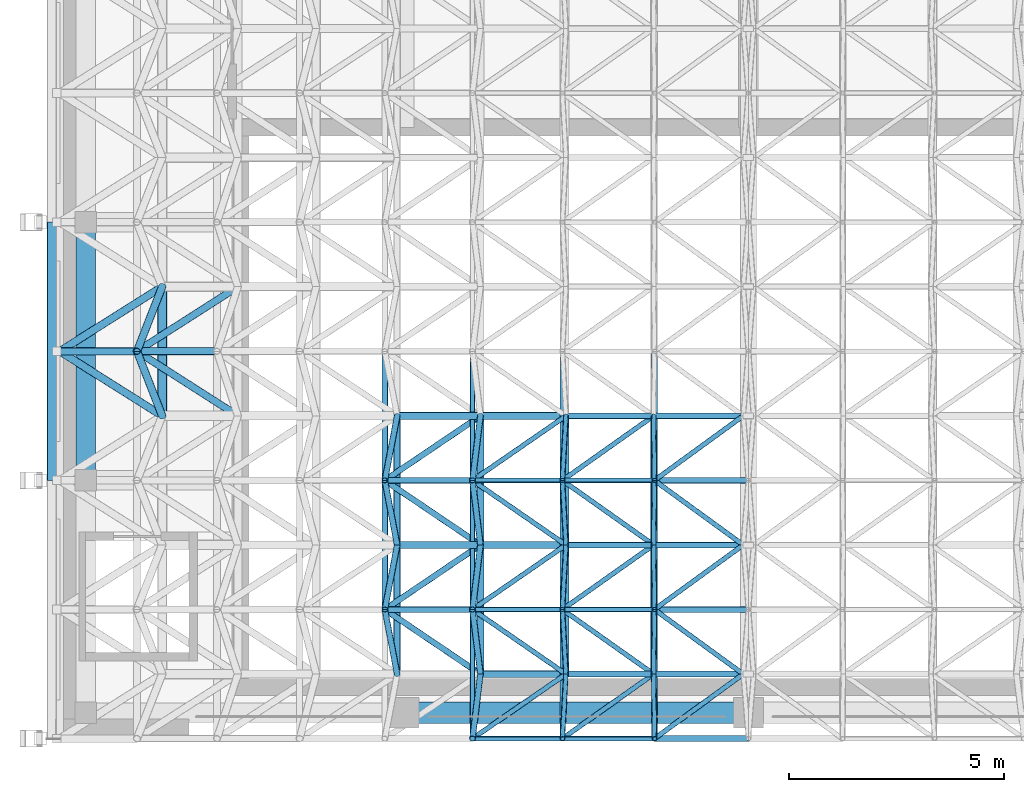
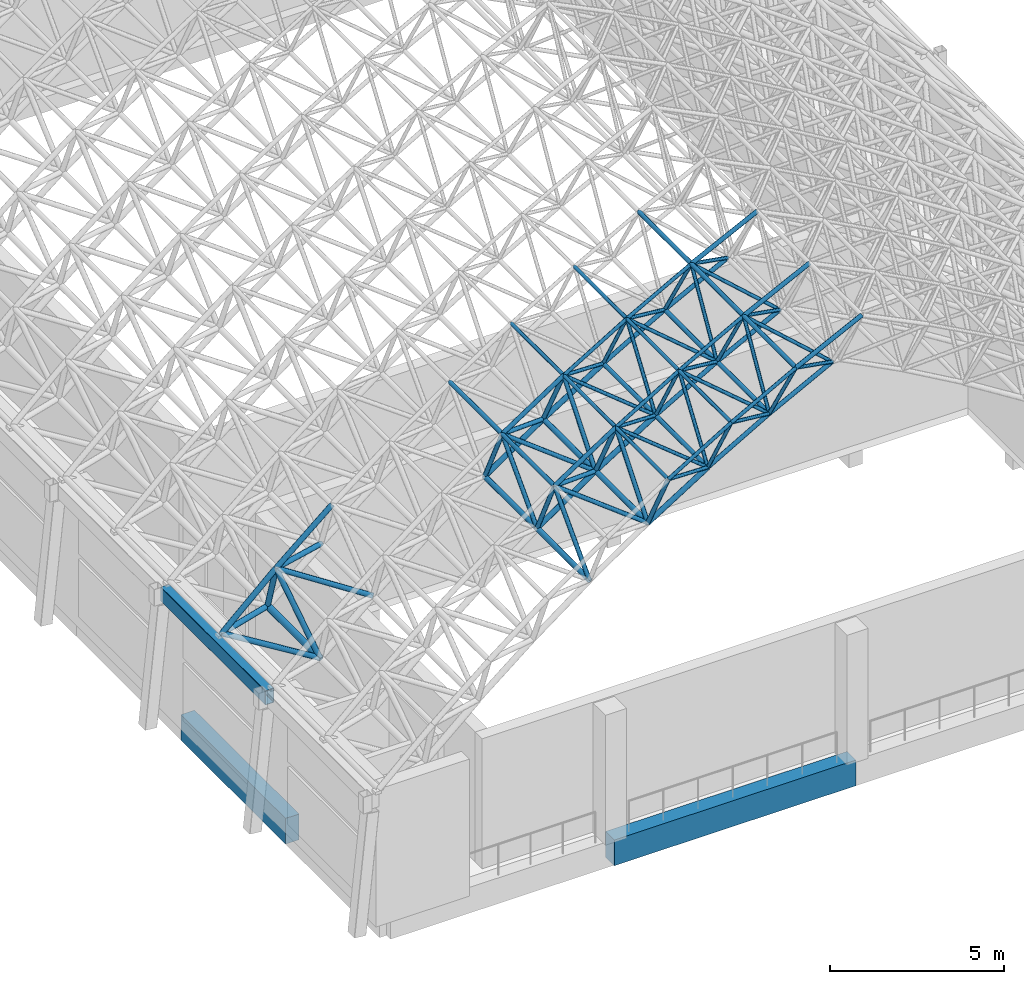
# One storey, part 9 of 141: 88 members, 3 beams.
"""IFC4 building model written with IfcOpenShell, lengths in metres."""

from ifc_helpers import new_model, si_unit, direction, frame, origin, origin_2d, place, context, subcontext, project, spatial, rectangle, hollow_rectangle, hollow_circle, extrude, material, material_profile, profile_set, type_object, element, save


model = new_model("IFC4")

# Units and contexts
model_context = context("Model", 3, precision=1e-05, world=origin(), true_north=direction((0.0, 1.0)))
body_context = subcontext(model_context, "Body", "Model", "MODEL_VIEW")
ifc_project = project(units=[si_unit("LENGTHUNIT", "METRE"), si_unit("AREAUNIT", "SQUARE_METRE"), si_unit("VOLUMEUNIT", "CUBIC_METRE"), si_unit("PLANEANGLEUNIT", "RADIAN"), si_unit("MASSUNIT", "GRAM", prefix="KILO")], contexts=[model_context])

# Site, building, storey
site_placement = place(None, origin())
site = spatial("IfcSite", under=ifc_project, at=site_placement, CompositionType="ELEMENT")
building_placement = place(site_placement, origin())
building = spatial("IfcBuilding", under=site, at=building_placement, Name="Lantern Court Media Centre", CompositionType="ELEMENT")
storey_placement = place(building_placement, frame((0.0, 0.0, 9.60009765625)))
storey = spatial("IfcBuildingStorey", under=building, at=storey_placement, Name="L02", CompositionType="ELEMENT", Elevation=9.60009765625)

# Members
ifc_material_1 = material(Name="Steel S355J2 (EN 10025-2)", Category="steel")
ifc_material_profile_1 = material_profile(ifc_material_1, hollow_circle(Radius=0.06982421875, WallThickness=0.00634765625, at=origin_2d()), Name="Cinema Hall bottom CHS 139.7x6.3")
ifc_profile_set_1 = profile_set([ifc_material_profile_1], Name="Steel S355J2 (EN 10025-2)")
member_type_1 = type_object("IfcMemberType", Name="Cinema Hall bottom CHS 139.7x6.3", PredefinedType="CHORD", material=ifc_profile_set_1)
for number, where, z_axis, x_axis, name in (
    (1, (11.76025390625, -0.5, 11.04443359375), (0.0, 1.0, 0.0), (-1.0, 0.0, 0.0), "Cinema Hall bottom chord 06-01"),
    (2, (13.796875, -0.5, 12.21337890625), (0.0, 1.0, 0.0), (-1.0, 0.0, 0.0), "Cinema Hall bottom chord 07-01"),
    (3, (11.76025390625, 2.5, 11.04443359375), (0.0, 1.0, 0.0), (-1.0, 0.0, 0.0), "Cinema Hall bottom chord 06-02"),
    (4, (13.796875, 2.5, 12.21337890625), (0.0, 1.0, 0.0), (-1.0, 0.0, 0.0), "Cinema Hall bottom chord 07-02"),
):
    element("IfcMember", number, at=place(storey_placement, frame(where, z_axis=z_axis, x_axis=x_axis)), inside=storey, type_object=member_type_1, Name=name, PredefinedType="CHORD", context=body_context, shape_type="SweptSolid", body=[
        extrude(hollow_circle(Radius=0.06982421875, WallThickness=0.00634765625, at=origin_2d()), origin(), (0.0, 0.0, 1.0), 3.0),
    ])
member_1_placement = place(storey_placement, frame((11.76025390625, -0.5, 11.04443359375), z_axis=(0.867294659253, 0.0, 0.497795112503), x_axis=(0.0, 1.0, 0.0)))
element("IfcMember", 5, at=member_1_placement, inside=storey, type_object=member_type_1, Name="Cinema Hall bottom chord 06-01 across", PredefinedType="CHORD", context=body_context, shape_type="SweptSolid", body=[
    extrude(hollow_circle(Radius=0.06982421875, WallThickness=0.00634765625, at=origin_2d()), origin(), (0.0, 0.0, 1.0), 2.34814453125),
])
member_2_placement = place(storey_placement, frame((13.796875, -0.5, 12.21337890625), z_axis=(0.88681645353, 0.0, 0.462121821329), x_axis=(0.0, 1.0, 0.0)))
element("IfcMember", 6, at=member_2_placement, inside=storey, type_object=member_type_1, Name="Cinema Hall bottom chord 07-01 across", PredefinedType="CHORD", context=body_context, shape_type="SweptSolid", body=[
    extrude(hollow_circle(Radius=0.06982421875, WallThickness=0.00634765625, at=origin_2d()), origin(), (0.0, 0.0, 1.0), 2.348388671875),
])
member_3_placement = place(storey_placement, frame((11.76025390625, 2.5, 11.04443359375), z_axis=(0.867294659253, 0.0, 0.497795112503), x_axis=(0.0, 1.0, 0.0)))
element("IfcMember", 7, at=member_3_placement, inside=storey, type_object=member_type_1, Name="Cinema Hall bottom chord 06-02 across", PredefinedType="CHORD", context=body_context, shape_type="SweptSolid", body=[
    extrude(hollow_circle(Radius=0.06982421875, WallThickness=0.00634765625, at=origin_2d()), origin(), (0.0, 0.0, 1.0), 2.34814453125),
])
member_4_placement = place(storey_placement, frame((13.796875, 2.5, 12.21337890625), z_axis=(0.88681645353, 0.0, 0.462121821329), x_axis=(0.0, 1.0, 0.0)))
element("IfcMember", 8, at=member_4_placement, inside=storey, type_object=member_type_1, Name="Cinema Hall bottom chord 07-02 across", PredefinedType="CHORD", context=body_context, shape_type="SweptSolid", body=[
    extrude(hollow_circle(Radius=0.06982421875, WallThickness=0.00634765625, at=origin_2d()), origin(), (0.0, 0.0, 1.0), 2.348388671875),
])
member_5_placement = place(storey_placement, frame((11.76025390625, 5.5, 11.04443359375), z_axis=(0.867294659253, 0.0, 0.497795112503), x_axis=(0.0, 1.0, 0.0)))
element("IfcMember", 9, at=member_5_placement, inside=storey, type_object=member_type_1, Name="Cinema Hall bottom chord 06-03 across", PredefinedType="CHORD", context=body_context, shape_type="SweptSolid", body=[
    extrude(hollow_circle(Radius=0.06982421875, WallThickness=0.00634765625, at=origin_2d()), origin(), (0.0, 0.0, 1.0), 2.34814453125),
])
member_6_placement = place(storey_placement, frame((13.796875, 5.5, 12.21337890625), z_axis=(0.88681645353, 0.0, 0.462121821329), x_axis=(0.0, 1.0, 0.0)))
element("IfcMember", 10, at=member_6_placement, inside=storey, type_object=member_type_1, Name="Cinema Hall bottom chord 07-03 across", PredefinedType="CHORD", context=body_context, shape_type="SweptSolid", body=[
    extrude(hollow_circle(Radius=0.06982421875, WallThickness=0.00634765625, at=origin_2d()), origin(), (0.0, 0.0, 1.0), 2.348388671875),
])
ifc_material_profile_2 = material_profile(ifc_material_1, hollow_circle(Radius=0.084228515625, WallThickness=0.00634765625, at=origin_2d()), Name="Cinema Hall bottom CHS 168.3x6.3")
ifc_profile_set_2 = profile_set([ifc_material_profile_2], Name="Steel S355J2 (EN 10025-2)")
member_type_2 = type_object("IfcMemberType", Name="Cinema Hall bottom CHS 168.3x6.3", PredefinedType="CHORD", material=ifc_profile_set_2)
for number, where, z_axis, x_axis, name in (
    (11, (9.772705078125, -0.5, 9.7939453125), (0.0, 1.0, 0.0), (-1.0, 0.0, 0.0), "Cinema Hall bottom chord 05-01"),
    (12, (9.772705078125, 2.5, 9.7939453125), (0.0, 1.0, 0.0), (-1.0, 0.0, 0.0), "Cinema Hall bottom chord 05-02"),
):
    element("IfcMember", number, at=place(storey_placement, frame(where, z_axis=z_axis, x_axis=x_axis)), inside=storey, type_object=member_type_2, Name=name, PredefinedType="CHORD", context=body_context, shape_type="SweptSolid", body=[
        extrude(hollow_circle(Radius=0.084228515625, WallThickness=0.00634765625, at=origin_2d()), origin(), (0.0, 0.0, 1.0), 3.0),
    ])
for number, where, z_axis, x_axis, name in (
    (13, (9.772705078125, -0.5, 9.7939453125), (0.846411623189, 0.0, 0.532529214344), (0.0, 1.0, 0.0), "Cinema Hall bottom chord 05-01 across"),
    (14, (9.772705078125, 2.5, 9.7939453125), (0.846411623189, 0.0, 0.532529214344), (0.0, 1.0, 0.0), "Cinema Hall bottom chord 05-02 across"),
    (15, (9.772705078125, 5.5, 9.7939453125), (0.846411623189, 0.0, 0.532529214344), (0.0, 1.0, 0.0), "Cinema Hall bottom chord 05-03 across"),
):
    element("IfcMember", number, at=place(storey_placement, frame(where, z_axis=z_axis, x_axis=x_axis)), inside=storey, type_object=member_type_2, Name=name, PredefinedType="CHORD", context=body_context, shape_type="SweptSolid", body=[
        extrude(hollow_circle(Radius=0.084228515625, WallThickness=0.00634765625, at=origin_2d()), origin(), (0.0, 0.0, 1.0), 2.34814453125),
    ])
ifc_material_profile_3 = material_profile(ifc_material_1, hollow_circle(Radius=0.084228515625, WallThickness=0.008056640625, at=origin_2d()), Name="Cinema Hall bottom CHS 168.3x8")
ifc_profile_set_3 = profile_set([ifc_material_profile_3], Name="Steel S355J2 (EN 10025-2)")
member_type_3 = type_object("IfcMemberType", Name="Cinema Hall bottom CHS 168.3x8", PredefinedType="CHORD", material=ifc_profile_set_3)
for number, where, z_axis, x_axis, name in (
    (16, (7.837646484375, -0.5, 8.463623046875), (0.0, 1.0, 0.0), (-1.0, 0.0, 0.0), "Cinema Hall bottom chord 04-01"),
    (17, (7.837646484375, 2.5, 8.463623046875), (0.0, 1.0, 0.0), (-1.0, 0.0, 0.0), "Cinema Hall bottom chord 04-02"),
):
    element("IfcMember", number, at=place(storey_placement, frame(where, z_axis=z_axis, x_axis=x_axis)), inside=storey, type_object=member_type_3, Name=name, PredefinedType="CHORD", context=body_context, shape_type="SweptSolid", body=[
        extrude(hollow_circle(Radius=0.084228515625, WallThickness=0.008056640625, at=origin_2d()), origin(), (0.0, 0.0, 1.0), 3.0),
    ])
for number, where, z_axis, x_axis, name in (
    (18, (7.837646484375, 2.5, 8.463623046875), (0.824047991233, 0.0, 0.56651999801), (0.0, 1.0, 0.0), "Cinema Hall bottom chord 04-02 across"),
    (19, (7.837646484375, 5.5, 8.463623046875), (0.824047991233, 0.0, 0.56651999801), (0.0, 1.0, 0.0), "Cinema Hall bottom chord 04-03 across"),
):
    element("IfcMember", number, at=place(storey_placement, frame(where, z_axis=z_axis, x_axis=x_axis)), inside=storey, type_object=member_type_3, Name=name, PredefinedType="CHORD", context=body_context, shape_type="SweptSolid", body=[
        extrude(hollow_circle(Radius=0.084228515625, WallThickness=0.008056640625, at=origin_2d()), origin(), (0.0, 0.0, 1.0), 2.34814453125),
    ])
ifc_material_profile_4 = material_profile(ifc_material_1, hollow_circle(Radius=0.109619140625, WallThickness=0.010009765625, at=origin_2d()), Name="Cinema Hall bottom CHS 219.1x10")
ifc_profile_set_4 = profile_set([ifc_material_profile_4], Name="Steel S355J2 (EN 10025-2)")
member_type_4 = type_object("IfcMemberType", Name="Cinema Hall bottom CHS 219.1x10", PredefinedType="CHORD", material=ifc_profile_set_4)
member_7_placement = place(storey_placement, frame((2.378662109375, 5.5, 4.016845703125), z_axis=(0.0, 1.0, 0.0), x_axis=(-1.0, 0.0, 0.0)))
element("IfcMember", 20, at=member_7_placement, inside=storey, type_object=member_type_4, Name="Cinema Hall bottom chord 01-03", PredefinedType="CHORD", context=body_context, shape_type="SweptSolid", body=[
    extrude(hollow_circle(Radius=0.109619140625, WallThickness=0.010009765625, at=origin_2d()), origin(), (0.0, 0.0, 1.0), 3.0),
])
ifc_material_profile_5 = material_profile(ifc_material_1, hollow_circle(Radius=0.05712890625, WallThickness=0.0048828125, at=origin_2d()), Name="Cinema Hall diagonal CHS 114.3x5")
ifc_profile_set_5 = profile_set([ifc_material_profile_5], Name="Steel S355J2 (EN 10025-2)")
member_type_5 = type_object("IfcMemberType", Name="Cinema Hall diagonal CHS 114.3x5", PredefinedType="BRACE", material=ifc_profile_set_5)
for number, where, z_axis, x_axis, name in (
    (21, (15.87939453125, -0.5, 13.298583984375), (-0.706879781117, -0.513851085564, 0.486084392789), (0.587989591395, -0.808868493892, 0.0), "Cinema Hall diagonal 08-01-1"),
    (22, (15.87939453125, -0.5, 13.298583984375), (-0.706879781117, 0.513851085564, 0.486084392789), (-0.587989591395, -0.808868493892, 0.0), "Cinema Hall diagonal 08-01-4"),
    (23, (15.87939453125, 2.5, 13.298583984375), (-0.706879781117, -0.513851085564, 0.486084392789), (0.587989591395, -0.808868493892, 0.0), "Cinema Hall diagonal 08-02-1"),
    (24, (15.87939453125, 2.5, 13.298583984375), (-0.706879781117, 0.513851085564, 0.486084392789), (-0.587989591395, -0.808868493892, 0.0), "Cinema Hall diagonal 08-02-4"),
    (25, (15.87939453125, 5.5, 13.298583984375), (-0.706879781117, -0.513851085564, 0.486084392789), (0.587989591395, -0.808868493892, 0.0), "Cinema Hall diagonal 08-03-1"),
):
    element("IfcMember", number, at=place(storey_placement, frame(where, z_axis=z_axis, x_axis=x_axis)), inside=storey, type_object=member_type_5, Name=name, PredefinedType="BRACE", context=body_context, shape_type="SweptSolid", body=[
        extrude(hollow_circle(Radius=0.05712890625, WallThickness=0.0048828125, at=origin_2d()), origin(), (0.0, 0.0, 1.0), 2.919189453125),
    ])
ifc_material_profile_6 = material_profile(ifc_material_1, hollow_circle(Radius=0.05712890625, WallThickness=0.00634765625, at=origin_2d()), Name="Cinema Hall diagonal CHS 114.3x6.3")
ifc_profile_set_6 = profile_set([ifc_material_profile_6], Name="Steel S355J2 (EN 10025-2)")
member_type_6 = type_object("IfcMemberType", Name="Cinema Hall diagonal CHS 114.3x6.3", PredefinedType="BRACE", material=ifc_profile_set_6)
for number, where, z_axis, x_axis, name in (
    (26, (11.76025390625, -0.5, 11.04443359375), (-0.744001537395, -0.513842788417, 0.427115091218), (0.568286154794, -0.822830994962, 0.0), "Cinema Hall diagonal 06-01-1"),
    (27, (11.76025390625, -0.5, 11.04443359375), (-0.028351859734, -0.513846095007, 0.857413763999), (0.998481283351, -0.055091984872, 0.0), "Cinema Hall diagonal 06-01-2"),
    (28, (11.76025390625, -0.5, 11.04443359375), (-0.028351859734, 0.513846095007, 0.857413763999), (-0.998481283351, -0.055091984872, 0.0), "Cinema Hall diagonal 06-01-3"),
    (29, (11.76025390625, -0.5, 11.04443359375), (-0.744001537395, 0.513842788417, 0.427115091218), (-0.568286154794, -0.822830994962, 0.0), "Cinema Hall diagonal 06-01-4"),
    (30, (13.796875, -0.5, 12.21337890625), (-0.726033609038, -0.513852147671, 0.456980490702), (0.577701627838, -0.816248019411, 0.0), "Cinema Hall diagonal 07-01-1"),
    (31, (13.796875, -0.5, 12.21337890625), (0.006523580306, -0.513857402591, 0.857850810283), (0.99991942426, 0.012694289566, 0.0), "Cinema Hall diagonal 07-01-2"),
    (32, (13.796875, -0.5, 12.21337890625), (0.006523580306, 0.513857402591, 0.857850810283), (-0.99991942426, 0.012694289566, 0.0), "Cinema Hall diagonal 07-01-3"),
    (33, (13.796875, -0.5, 12.21337890625), (-0.726033609038, 0.513852147671, 0.456980490702), (-0.577701627838, -0.816248019411, 0.0), "Cinema Hall diagonal 07-01-4"),
    (34, (11.76025390625, 2.5, 11.04443359375), (-0.744001537395, -0.513842788417, 0.427115091218), (0.568286154794, -0.822830994962, 0.0), "Cinema Hall diagonal 06-02-1"),
    (35, (11.76025390625, 2.5, 11.04443359375), (-0.028351859734, -0.513846095007, 0.857413763999), (0.998481283351, -0.055091984872, 0.0), "Cinema Hall diagonal 06-02-2"),
    (36, (11.76025390625, 2.5, 11.04443359375), (-0.028351859734, 0.513846095007, 0.857413763999), (-0.998481283351, -0.055091984872, 0.0), "Cinema Hall diagonal 06-02-3"),
    (37, (11.76025390625, 2.5, 11.04443359375), (-0.744001537395, 0.513842788417, 0.427115091218), (-0.568286154794, -0.822830994962, 0.0), "Cinema Hall diagonal 06-02-4"),
    (38, (13.796875, 2.5, 12.21337890625), (-0.726033609038, -0.513852147671, 0.456980490702), (0.577701627838, -0.816248019411, 0.0), "Cinema Hall diagonal 07-02-1"),
    (39, (13.796875, 2.5, 12.21337890625), (0.006523580306, -0.513857402591, 0.857850810283), (0.99991942426, 0.012694289566, 0.0), "Cinema Hall diagonal 07-02-2"),
    (40, (13.796875, 2.5, 12.21337890625), (0.006523580306, 0.513857402591, 0.857850810283), (-0.99991942426, 0.012694289566, 0.0), "Cinema Hall diagonal 07-02-3"),
    (41, (13.796875, 2.5, 12.21337890625), (-0.726033609038, 0.513852147671, 0.456980490702), (-0.577701627838, -0.816248019411, 0.0), "Cinema Hall diagonal 07-02-4"),
    (42, (11.76025390625, 5.5, 11.04443359375), (-0.744001537395, -0.513842788417, 0.427115091218), (0.568286154794, -0.822830994962, 0.0), "Cinema Hall diagonal 06-03-1"),
    (43, (11.76025390625, 5.5, 11.04443359375), (-0.028351859734, -0.513846095007, 0.857413763999), (0.998481283351, -0.055091984872, 0.0), "Cinema Hall diagonal 06-03-2"),
    (44, (13.796875, 5.5, 12.21337890625), (-0.726033609038, -0.513852147671, 0.456980490702), (0.577701627838, -0.816248019411, 0.0), "Cinema Hall diagonal 07-03-1"),
    (45, (13.796875, 5.5, 12.21337890625), (0.006523580306, -0.513857402591, 0.857850810283), (0.99991942426, 0.012694289566, 0.0), "Cinema Hall diagonal 07-03-2"),
):
    element("IfcMember", number, at=place(storey_placement, frame(where, z_axis=z_axis, x_axis=x_axis)), inside=storey, type_object=member_type_6, Name=name, PredefinedType="BRACE", context=body_context, shape_type="SweptSolid", body=[
        extrude(hollow_circle(Radius=0.05712890625, WallThickness=0.00634765625, at=origin_2d()), origin(), (0.0, 0.0, 1.0), 2.919189453125),
    ])
ifc_material_profile_7 = material_profile(ifc_material_1, hollow_circle(Radius=0.06982421875, WallThickness=0.00634765625, at=origin_2d()), Name="Cinema Hall diagonal CHS 139.7x6.3")
ifc_profile_set_7 = profile_set([ifc_material_profile_7], Name="Steel S355J2 (EN 10025-2)")
member_type_7 = type_object("IfcMemberType", Name="Cinema Hall diagonal CHS 139.7x6.3", PredefinedType="BRACE", material=ifc_profile_set_7)
for number, where, z_axis, x_axis, name in (
    (46, (9.772705078125, -0.5, 9.7939453125), (-0.063147046974, -0.513874776966, 0.855537938409), (0.992534194664, -0.121966685705, 0.0), "Cinema Hall diagonal 05-01-2"),
    (47, (9.772705078125, -0.5, 9.7939453125), (-0.063147046974, 0.513874776966, 0.855537938409), (-0.992534194664, -0.121966685705, 0.0), "Cinema Hall diagonal 05-01-3"),
):
    element("IfcMember", number, at=place(storey_placement, frame(where, z_axis=z_axis, x_axis=x_axis)), inside=storey, type_object=member_type_7, Name=name, PredefinedType="BRACE", context=body_context, shape_type="SweptSolid", body=[
        extrude(hollow_circle(Radius=0.06982421875, WallThickness=0.00634765625, at=origin_2d()), origin(), (0.0, 0.0, 1.0), 2.9189453125),
    ])
for number, where, z_axis, x_axis, name in (
    (48, (9.772705078125, -0.5, 9.7939453125), (-0.760744068819, 0.513853513503, 0.396513591718), (-0.559735691147, -0.828671199003, 0.0), "Cinema Hall diagonal 05-01-4"),
    (49, (9.772705078125, 2.5, 9.7939453125), (-0.760744068819, -0.513853513503, 0.396513591718), (0.559735691147, -0.828671199003, 0.0), "Cinema Hall diagonal 05-02-1"),
):
    element("IfcMember", number, at=place(storey_placement, frame(where, z_axis=z_axis, x_axis=x_axis)), inside=storey, type_object=member_type_7, Name=name, PredefinedType="BRACE", context=body_context, shape_type="SweptSolid", body=[
        extrude(hollow_circle(Radius=0.06982421875, WallThickness=0.00634765625, at=origin_2d()), origin(), (0.0, 0.0, 1.0), 2.919189453125),
    ])
for number, where, z_axis, x_axis, name in (
    (50, (9.772705078125, 2.5, 9.7939453125), (-0.063147046974, -0.513874776966, 0.855537938409), (0.992534194664, -0.121966685705, 0.0), "Cinema Hall diagonal 05-02-2"),
    (51, (9.772705078125, 2.5, 9.7939453125), (-0.063147046974, 0.513874776966, 0.855537938409), (-0.992534194664, -0.121966685705, 0.0), "Cinema Hall diagonal 05-02-3"),
):
    element("IfcMember", number, at=place(storey_placement, frame(where, z_axis=z_axis, x_axis=x_axis)), inside=storey, type_object=member_type_7, Name=name, PredefinedType="BRACE", context=body_context, shape_type="SweptSolid", body=[
        extrude(hollow_circle(Radius=0.06982421875, WallThickness=0.00634765625, at=origin_2d()), origin(), (0.0, 0.0, 1.0), 2.9189453125),
    ])
for number, where, z_axis, x_axis, name in (
    (52, (9.772705078125, 2.5, 9.7939453125), (-0.760744068819, 0.513853513503, 0.396513591718), (-0.559735691147, -0.828671199003, 0.0), "Cinema Hall diagonal 05-02-4"),
    (53, (9.772705078125, 5.5, 9.7939453125), (-0.760744068819, -0.513853513503, 0.396513591718), (0.559735691147, -0.828671199003, 0.0), "Cinema Hall diagonal 05-03-1"),
):
    element("IfcMember", number, at=place(storey_placement, frame(where, z_axis=z_axis, x_axis=x_axis)), inside=storey, type_object=member_type_7, Name=name, PredefinedType="BRACE", context=body_context, shape_type="SweptSolid", body=[
        extrude(hollow_circle(Radius=0.06982421875, WallThickness=0.00634765625, at=origin_2d()), origin(), (0.0, 0.0, 1.0), 2.919189453125),
    ])
member_8_placement = place(storey_placement, frame((9.772705078125, 5.5, 9.7939453125), z_axis=(-0.063147046974, -0.513874776966, 0.855537938409), x_axis=(0.992534194664, -0.121966685705, 0.0)))
element("IfcMember", 54, at=member_8_placement, inside=storey, type_object=member_type_7, Name="Cinema Hall diagonal 05-03-2", PredefinedType="BRACE", context=body_context, shape_type="SweptSolid", body=[
    extrude(hollow_circle(Radius=0.06982421875, WallThickness=0.00634765625, at=origin_2d()), origin(), (0.0, 0.0, 1.0), 2.9189453125),
])
ifc_material_profile_8 = material_profile(ifc_material_1, hollow_circle(Radius=0.06982421875, WallThickness=0.008056640625, at=origin_2d()), Name="Cinema Hall diagonal CHS 139.7x8")
ifc_profile_set_8 = profile_set([ifc_material_profile_8], Name="Steel S355J2 (EN 10025-2)")
member_type_8 = type_object("IfcMemberType", Name="Cinema Hall diagonal CHS 139.7x8", PredefinedType="BRACE", material=ifc_profile_set_8)
for number, where, z_axis, x_axis, name in (
    (55, (7.837646484375, -0.5, 8.463623046875), (-0.09785614588, 0.51387022247, 0.852268484207), (-0.982346962135, -0.187068025016, 0.0), "Cinema Hall diagonal 04-01-3"),
    (56, (7.837646484375, 2.5, 8.463623046875), (-0.09785614588, -0.51387022247, 0.852268484207), (0.982346962135, -0.187068025016, 0.0), "Cinema Hall diagonal 04-02-2"),
    (57, (7.837646484375, 2.5, 8.463623046875), (-0.09785614588, 0.51387022247, 0.852268484207), (-0.982346962135, -0.187068025016, 0.0), "Cinema Hall diagonal 04-02-3"),
    (58, (7.837646484375, 5.5, 8.463623046875), (-0.09785614588, -0.51387022247, 0.852268484207), (0.982346962135, -0.187068025016, 0.0), "Cinema Hall diagonal 04-03-2"),
):
    element("IfcMember", number, at=place(storey_placement, frame(where, z_axis=z_axis, x_axis=x_axis)), inside=storey, type_object=member_type_8, Name=name, PredefinedType="BRACE", context=body_context, shape_type="SweptSolid", body=[
        extrude(hollow_circle(Radius=0.06982421875, WallThickness=0.008056640625, at=origin_2d()), origin(), (0.0, 0.0, 1.0), 2.9189453125),
    ])
ifc_material_profile_9 = material_profile(ifc_material_1, hollow_circle(Radius=0.084228515625, WallThickness=0.010009765625, at=origin_2d()), Name="Cinema Hall diagonal CHS 168.3x10")
ifc_profile_set_9 = profile_set([ifc_material_profile_9], Name="Steel S355J2 (EN 10025-2)")
member_type_9 = type_object("IfcMemberType", Name="Cinema Hall diagonal CHS 168.3x10", PredefinedType="BRACE", material=ifc_profile_set_9)
for number, where, z_axis, x_axis, name in (
    (59, (4.1376953125, 5.5, 5.57275390625), (-0.803309435106, 0.513850408047, 0.301084223465), (-0.538854579896, -0.842398802068, 0.0), "Cinema Hall diagonal 02-03-4"),
    (60, (4.1376953125, 8.5, 5.57275390625), (-0.803309435106, -0.513850408047, 0.301084223465), (0.538854579896, -0.842398802068, 0.0), "Cinema Hall diagonal 02-04-1"),
):
    element("IfcMember", number, at=place(storey_placement, frame(where, z_axis=z_axis, x_axis=x_axis)), inside=storey, type_object=member_type_9, Name=name, PredefinedType="BRACE", context=body_context, shape_type="SweptSolid", body=[
        extrude(hollow_circle(Radius=0.084228515625, WallThickness=0.010009765625, at=origin_2d()), origin(), (0.0, 0.0, 1.0), 2.919189453125),
    ])
ifc_material_profile_10 = material_profile(ifc_material_1, hollow_circle(Radius=0.0888671875, WallThickness=0.010009765625, at=origin_2d()), Name="Cinema Hall diagonal CHS 177.8x10")
ifc_profile_set_10 = profile_set([ifc_material_profile_10], Name="Steel S355J2 (EN 10025-2)")
member_type_10 = type_object("IfcMemberType", Name="Cinema Hall diagonal CHS 177.8x10", PredefinedType="BRACE", material=ifc_profile_set_10)
for number, where, z_axis, x_axis, name in (
    (61, (2.378662109375, 5.5, 4.016845703125), (-0.200719513512, 0.513841954591, 0.834073211773), (-0.93145734948, -0.36385052714, 0.0), "Cinema Hall diagonal 01-03-3"),
    (62, (2.378662109375, 5.5, 4.016845703125), (-0.814865608485, 0.513859622142, 0.268220671909), (-0.533404912089, -0.845860035561, 0.0), "Cinema Hall diagonal 01-03-4"),
    (63, (2.378662109375, 8.5, 4.016845703125), (-0.814865608485, -0.513859622142, 0.268220671909), (0.533404912089, -0.845860035561, 0.0), "Cinema Hall diagonal 01-04-1"),
    (64, (2.378662109375, 8.5, 4.016845703125), (-0.200719513512, -0.513841954591, 0.834073211773), (0.93145734948, -0.36385052714, 0.0), "Cinema Hall diagonal 01-04-2"),
):
    element("IfcMember", number, at=place(storey_placement, frame(where, z_axis=z_axis, x_axis=x_axis)), inside=storey, type_object=member_type_10, Name=name, PredefinedType="BRACE", context=body_context, shape_type="SweptSolid", body=[
        extrude(hollow_circle(Radius=0.0888671875, WallThickness=0.010009765625, at=origin_2d()), origin(), (0.0, 0.0, 1.0), 2.919189453125),
    ])

# Beam
ifc_material_profile_11 = material_profile(ifc_material_1, hollow_rectangle(XDim=0.300048828125, YDim=0.5, WallThickness=0.01611328125, InnerFilletRadius=0.01611328125, OuterFilletRadius=0.02392578125, at=origin_2d()), Name="Cinema Hall edge girder RHS 500x300x16")
ifc_profile_set_11 = profile_set([ifc_material_profile_11], Name="Steel S355J2 (EN 10025-2)")
beam_type_1 = type_object("IfcBeamType", Name="Cinema Hall edge girder RHS 500x300x16", PredefinedType="BEAM", material=ifc_profile_set_11)
beam_1_placement = place(storey_placement, frame((-0.14990234375, 4.0, 4.449951171875), z_axis=(0.0, 1.0, 0.0), x_axis=(-1.0, 0.0, 0.0)))
element("IfcBeam", 65, at=beam_1_placement, inside=storey, type_object=beam_type_1, Name="Cinema Hall edge girder west 2", PredefinedType="BEAM", context=body_context, shape_type="SweptSolid", body=[
    extrude(hollow_rectangle(XDim=0.300048828125, YDim=0.5, WallThickness=0.01611328125, InnerFilletRadius=0.01611328125, OuterFilletRadius=0.02392578125, at=origin_2d()), origin(), (0.0, 0.0, 1.0), 6.0),
])

# Members
ifc_material_profile_12 = material_profile(ifc_material_1, hollow_circle(Radius=0.05712890625, WallThickness=0.00634765625, at=origin_2d()), Name="Cinema Hall top CHS 114.3x6.3")
ifc_profile_set_12 = profile_set([ifc_material_profile_12], Name="Steel S355J2 (EN 10025-2)")
member_type_11 = type_object("IfcMemberType", Name="Cinema Hall top CHS 114.3x6.3", PredefinedType="CHORD", material=ifc_profile_set_12)
for number, where, z_axis, x_axis, name in (
    (66, (9.58837890625, -2.0, 12.291259765625), (0.0, 1.0, 0.0), (-1.0, 0.0, 0.0), "Cinema Hall top chord 06-01"),
    (67, (11.677490234375, -2.0, 13.54736328125), (0.0, 1.0, 0.0), (-1.0, 0.0, 0.0), "Cinema Hall top chord 07-01"),
    (68, (9.58837890625, 1.0, 12.291259765625), (0.0, 1.0, 0.0), (-1.0, 0.0, 0.0), "Cinema Hall top chord 06-02"),
    (69, (11.677490234375, 1.0, 13.54736328125), (0.0, 1.0, 0.0), (-1.0, 0.0, 0.0), "Cinema Hall top chord 07-02"),
    (70, (9.58837890625, 4.0, 12.291259765625), (0.0, 1.0, 0.0), (-1.0, 0.0, 0.0), "Cinema Hall top chord 06-03"),
    (71, (11.677490234375, 4.0, 13.54736328125), (0.0, 1.0, 0.0), (-1.0, 0.0, 0.0), "Cinema Hall top chord 07-03"),
):
    element("IfcMember", number, at=place(storey_placement, frame(where, z_axis=z_axis, x_axis=x_axis)), inside=storey, type_object=member_type_11, Name=name, PredefinedType="CHORD", context=body_context, shape_type="SweptSolid", body=[
        extrude(hollow_circle(Radius=0.05712890625, WallThickness=0.00634765625, at=origin_2d()), origin(), (0.0, 0.0, 1.0), 3.0),
    ])
for number, where, z_axis, x_axis, name in (
    (72, (9.58837890625, -2.0, 12.291259765625), (0.857015353865, 0.0, 0.515290872459), (0.0, 1.0, 0.0), "Cinema Hall top chord 06-01 across"),
    (73, (11.677490234375, -2.0, 13.54736328125), (0.87724791815, 0.0, 0.480037592384), (0.0, 1.0, 0.0), "Cinema Hall top chord 07-01 across"),
    (74, (9.58837890625, 1.0, 12.291259765625), (0.857015353865, 0.0, 0.515290872459), (0.0, 1.0, 0.0), "Cinema Hall top chord 06-02 across"),
    (75, (11.677490234375, 1.0, 13.54736328125), (0.87724791815, 0.0, 0.480037592384), (0.0, 1.0, 0.0), "Cinema Hall top chord 07-02 across"),
    (76, (9.58837890625, 4.0, 12.291259765625), (0.857015353865, 0.0, 0.515290872459), (0.0, 1.0, 0.0), "Cinema Hall top chord 06-03 across"),
    (77, (11.677490234375, 4.0, 13.54736328125), (0.87724791815, 0.0, 0.480037592384), (0.0, 1.0, 0.0), "Cinema Hall top chord 07-03 across"),
):
    element("IfcMember", number, at=place(storey_placement, frame(where, z_axis=z_axis, x_axis=x_axis)), inside=storey, type_object=member_type_11, Name=name, PredefinedType="CHORD", context=body_context, shape_type="SweptSolid", body=[
        extrude(hollow_circle(Radius=0.05712890625, WallThickness=0.00634765625, at=origin_2d()), origin(), (0.0, 0.0, 1.0), 2.437744140625),
    ])
ifc_material_profile_13 = material_profile(ifc_material_1, hollow_circle(Radius=0.06982421875, WallThickness=0.0048828125, at=origin_2d()), Name="Cinema Hall top CHS 139.7x5")
ifc_profile_set_13 = profile_set([ifc_material_profile_13], Name="Steel S355J2 (EN 10025-2)")
member_type_12 = type_object("IfcMemberType", Name="Cinema Hall top CHS 139.7x5", PredefinedType="CHORD", material=ifc_profile_set_13)
for number, where, z_axis, x_axis, name in (
    (78, (13.81591796875, -2.0, 14.717529296875), (0.0, 1.0, 0.0), (-1.0, 0.0, 0.0), "Cinema Hall top chord 08-01"),
    (79, (13.81591796875, 1.0, 14.717529296875), (0.0, 1.0, 0.0), (-1.0, 0.0, 0.0), "Cinema Hall top chord 08-02"),
    (80, (13.81591796875, 4.0, 14.717529296875), (0.0, 1.0, 0.0), (-1.0, 0.0, 0.0), "Cinema Hall top chord 08-03"),
):
    element("IfcMember", number, at=place(storey_placement, frame(where, z_axis=z_axis, x_axis=x_axis)), inside=storey, type_object=member_type_12, Name=name, PredefinedType="CHORD", context=body_context, shape_type="SweptSolid", body=[
        extrude(hollow_circle(Radius=0.06982421875, WallThickness=0.0048828125, at=origin_2d()), origin(), (0.0, 0.0, 1.0), 3.0),
    ])
for number, where, z_axis, x_axis, name in (
    (81, (13.81591796875, -2.0, 14.717529296875), (0.896023995237, 0.0, 0.444005630549), (0.0, 1.0, 0.0), "Cinema Hall top chord 08-01 across"),
    (82, (13.81591796875, 1.0, 14.717529296875), (0.896023995237, 0.0, 0.444005630549), (0.0, 1.0, 0.0), "Cinema Hall top chord 08-02 across"),
    (83, (13.81591796875, 4.0, 14.717529296875), (0.896023995237, 0.0, 0.444005630549), (0.0, 1.0, 0.0), "Cinema Hall top chord 08-03 across"),
):
    element("IfcMember", number, at=place(storey_placement, frame(where, z_axis=z_axis, x_axis=x_axis)), inside=storey, type_object=member_type_12, Name=name, PredefinedType="CHORD", context=body_context, shape_type="SweptSolid", body=[
        extrude(hollow_circle(Radius=0.06982421875, WallThickness=0.0048828125, at=origin_2d()), origin(), (0.0, 0.0, 1.0), 2.4375),
    ])
ifc_material_profile_14 = material_profile(ifc_material_1, hollow_circle(Radius=0.06982421875, WallThickness=0.00634765625, at=origin_2d()), Name="Cinema Hall top CHS 139.7x6.3")
ifc_profile_set_14 = profile_set([ifc_material_profile_14], Name="Steel S355J2 (EN 10025-2)")
member_type_13 = type_object("IfcMemberType", Name="Cinema Hall top CHS 139.7x6.3", PredefinedType="CHORD", material=ifc_profile_set_14)
for number, where, z_axis, x_axis, name in (
    (84, (7.552001953125, 1.0, 10.951416015625), (0.0, 1.0, 0.0), (-1.0, 0.0, 0.0), "Cinema Hall top chord 05-02"),
    (85, (7.552001953125, 4.0, 10.951416015625), (0.0, 1.0, 0.0), (-1.0, 0.0, 0.0), "Cinema Hall top chord 05-03"),
):
    element("IfcMember", number, at=place(storey_placement, frame(where, z_axis=z_axis, x_axis=x_axis)), inside=storey, type_object=member_type_13, Name=name, PredefinedType="CHORD", context=body_context, shape_type="SweptSolid", body=[
        extrude(hollow_circle(Radius=0.06982421875, WallThickness=0.00634765625, at=origin_2d()), origin(), (0.0, 0.0, 1.0), 3.0),
    ])
for number, where, z_axis, x_axis, name in (
    (86, (7.552001953125, 1.0, 10.951416015625), (0.835394087943, 0.0, 0.549651451221), (0.0, 1.0, 0.0), "Cinema Hall top chord 05-02 across"),
    (87, (7.552001953125, 4.0, 10.951416015625), (0.835394087943, 0.0, 0.549651451221), (0.0, 1.0, 0.0), "Cinema Hall top chord 05-03 across"),
):
    element("IfcMember", number, at=place(storey_placement, frame(where, z_axis=z_axis, x_axis=x_axis)), inside=storey, type_object=member_type_13, Name=name, PredefinedType="CHORD", context=body_context, shape_type="SweptSolid", body=[
        extrude(hollow_circle(Radius=0.06982421875, WallThickness=0.00634765625, at=origin_2d()), origin(), (0.0, 0.0, 1.0), 2.437744140625),
    ])
ifc_material_profile_15 = material_profile(ifc_material_1, hollow_circle(Radius=0.084228515625, WallThickness=0.010009765625, at=origin_2d()), Name="Cinema Hall top CHS 168.3x10")
ifc_profile_set_15 = profile_set([ifc_material_profile_15], Name="Steel S355J2 (EN 10025-2)")
member_type_14 = type_object("IfcMemberType", Name="Cinema Hall top CHS 168.3x10", PredefinedType="CHORD", material=ifc_profile_set_15)
member_9_placement = place(storey_placement, frame((1.792724609375, 7.0, 6.45166015625), z_axis=(0.762393833283, 0.0, 0.647113315403), x_axis=(0.0, 1.0, 0.0)))
element("IfcMember", 88, at=member_9_placement, inside=storey, type_object=member_type_14, Name="Cinema Hall top chord 02-04 across", PredefinedType="CHORD", context=body_context, shape_type="SweptSolid", body=[
    extrude(hollow_circle(Radius=0.084228515625, WallThickness=0.010009765625, at=origin_2d()), origin(), (0.0, 0.0, 1.0), 2.4375),
])
ifc_material_profile_16 = material_profile(ifc_material_1, hollow_circle(Radius=0.0888671875, WallThickness=0.010009765625, at=origin_2d()), Name="Cinema Hall top CHS 177.8x10")
ifc_profile_set_16 = profile_set([ifc_material_profile_16], Name="Steel S355J2 (EN 10025-2)")
member_type_15 = type_object("IfcMemberType", Name="Cinema Hall top CHS 177.8x10", PredefinedType="CHORD", material=ifc_profile_set_16)
member_10_placement = place(storey_placement, frame((0.0, 7.0, 4.7998046875), z_axis=(0.735409817039, 0.0, 0.677622609572), x_axis=(0.0, 1.0, 0.0)))
element("IfcMember", 89, at=member_10_placement, inside=storey, type_object=member_type_15, Name="Cinema Hall top chord 01-04 across", PredefinedType="CHORD", context=body_context, shape_type="SweptSolid", body=[
    extrude(hollow_circle(Radius=0.0888671875, WallThickness=0.010009765625, at=origin_2d()), origin(), (0.0, 0.0, 1.0), 2.437744140625),
])

# Beams
ifc_material_2 = material(Name="Concrete C35", Category="concrete")
ifc_material_profile_17 = material_profile(ifc_material_2, rectangle(XDim=0.449951171875, YDim=0.89990234375, at=origin_2d()), Name="RC 450x900")
ifc_profile_set_17 = profile_set([ifc_material_profile_17], Name="Concrete C35")
beam_type_2 = type_object("IfcBeamType", Name="RC BEAM 450x900", PredefinedType="BEAM", material=ifc_profile_set_17)
beam_2_placement = place(storey_placement, frame((0.60009765625, 4.0, -0.4501953125), z_axis=(0.0, 1.0, 0.0), x_axis=(-1.0, 0.0, 0.0)))
element("IfcBeam", 90, at=beam_2_placement, inside=storey, type_object=beam_type_2, Name="HB-V1-L02-FY0-1", PredefinedType="BEAM", context=body_context, shape_type="SweptSolid", body=[
    extrude(rectangle(XDim=0.449951171875, YDim=0.89990234375, at=origin_2d()), origin(), (0.0, 0.0, 1.0), 6.0),
])
ifc_material_profile_18 = material_profile(ifc_material_2, rectangle(XDim=0.5, YDim=0.89990234375, at=origin_2d()), Name="RC 500x900")
ifc_profile_set_18 = profile_set([ifc_material_profile_18], Name="Concrete C35")
beam_type_3 = type_object("IfcBeamType", Name="RC BEAM 500x900", PredefinedType="BEAM", material=ifc_profile_set_18)
beam_3_placement = place(storey_placement, frame((8.0, -1.39990234375, -0.4501953125), z_axis=(1.0, 0.0, 0.0), x_axis=(0.0, 1.0, 0.0)))
element("IfcBeam", 91, at=beam_3_placement, inside=storey, type_object=beam_type_3, Name="HB-V1-L02-FX0-1", PredefinedType="BEAM", context=body_context, shape_type="SweptSolid", body=[
    extrude(rectangle(XDim=0.5, YDim=0.89990234375, at=origin_2d()), origin(), (0.0, 0.0, 1.0), 8.0),
])

save(model, "model.ifc")
